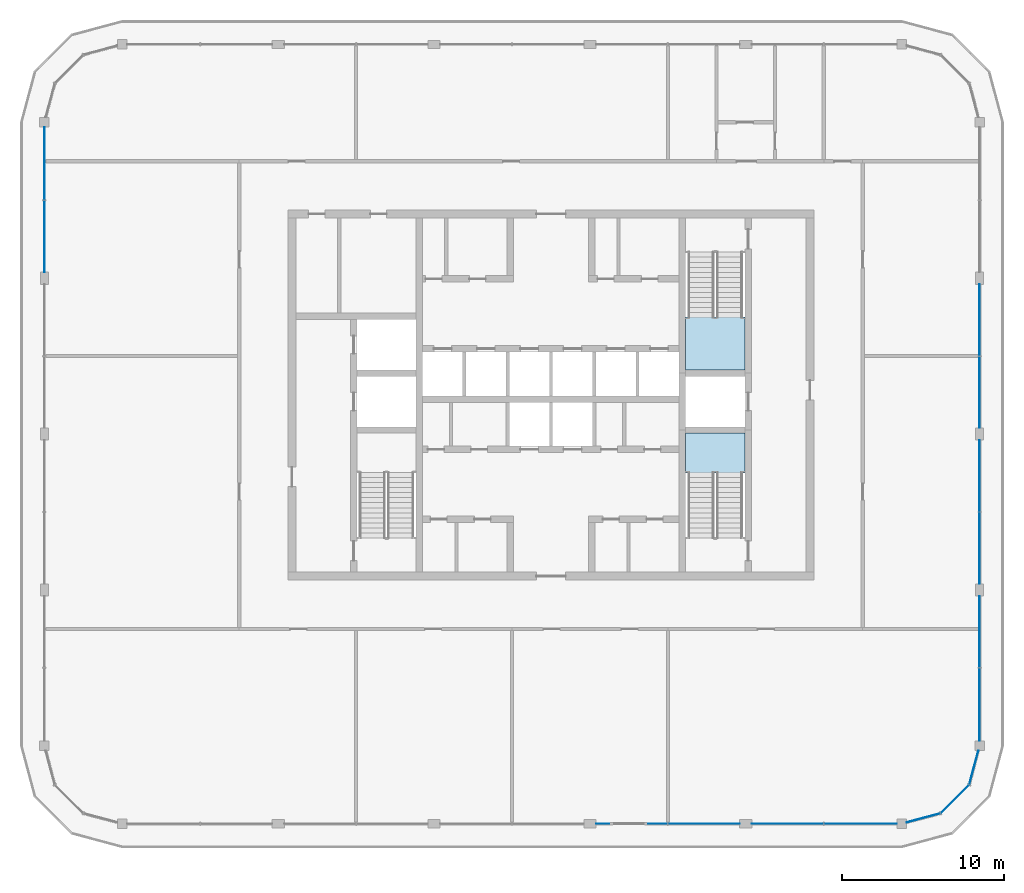
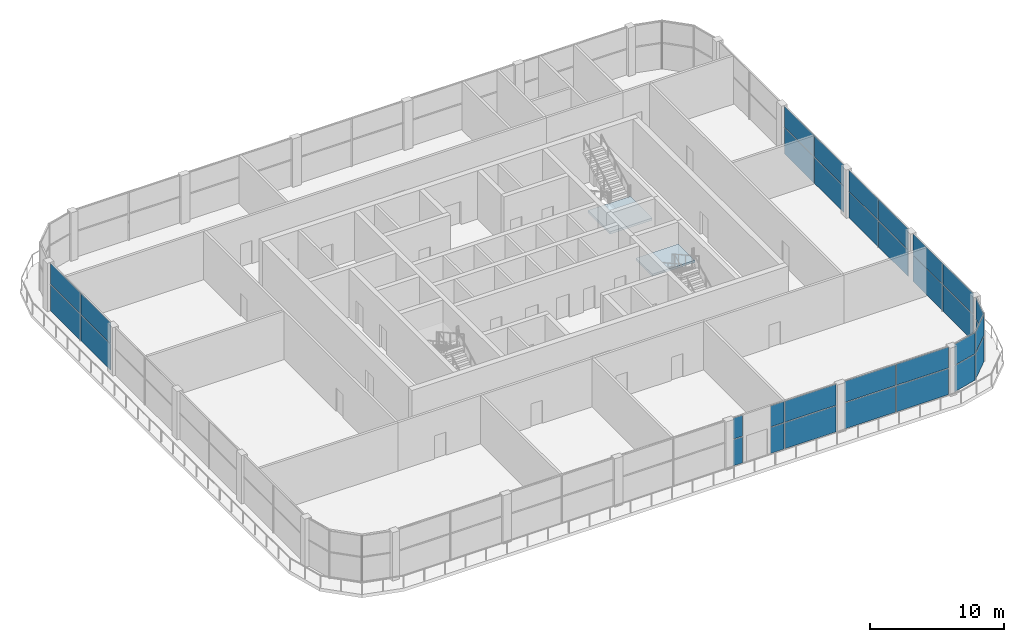
# One storey, part 8 of 15: 32 plates, 2 slabs, 9 elements without a shape of their own.
"""IFC4 building model written with IfcOpenShell, lengths in metres."""

from ifc_helpers import new_model, si_unit, direction, frame, origin, origin_2d, place, context, subcontext, project, spatial, polyline, rectangle, outline, extrude, material, layer, layer_set, type_object, element, aggregate, save


model = new_model("IFC4")

# Units and contexts
model_context = context("Model", 3, precision=1e-05, world=origin(), true_north=direction((0.0, 1.0)))
body_context = subcontext(model_context, "Body", "Model", "MODEL_VIEW")
ifc_project = project(units=[si_unit("LENGTHUNIT", "METRE"), si_unit("AREAUNIT", "SQUARE_METRE"), si_unit("VOLUMEUNIT", "CUBIC_METRE"), si_unit("PLANEANGLEUNIT", "RADIAN"), si_unit("MASSUNIT", "GRAM", prefix="KILO")], contexts=[model_context])

# Site, building, storey
site_placement = place(None, origin())
site = spatial("IfcSite", under=ifc_project, at=site_placement, CompositionType="ELEMENT")
building_placement = place(site_placement, origin())
building = spatial("IfcBuilding", under=site, at=building_placement, Name="Madar Terraces", CompositionType="ELEMENT")
storey_placement = place(building_placement, frame((0.0, 0.0, 291.5)))
storey = spatial("IfcBuildingStorey", under=building, at=storey_placement, Name="L76", CompositionType="ELEMENT", Elevation=291.5)

# Curtain wall, plates
ifc_material_1 = material(Name="Glass, clear low-iron, with black aluminium frame", Category="aluminium")
ifc_layer_1 = layer(ifc_material_1, 0.199951171875)
ifc_layer_set_1 = layer_set([ifc_layer_1], Name="Facade curtain wall, observation glazing")
curtain_wall_type = type_object("IfcCurtainWallType", Name="Facade curtain wall, observation glazing", PredefinedType="NOTDEFINED", material=ifc_layer_set_1)
curtain_wall_1_placement = place(storey_placement, origin())
curtain_wall_1 = element("IfcCurtainWall", 1, at=curtain_wall_1_placement, inside=storey, type_object=curtain_wall_type, Name="Outer skin curtain wall south bay 4", PredefinedType="NOTDEFINED")
ifc_material_2 = material(Name="Glass, ceramic frit dark grey", Category="glass")
ifc_layer_2 = layer(ifc_material_2, 0.028076171875)
ifc_layer_set_2 = layer_set([ifc_layer_2], Name="Facade glass panel 28")
plate_type = type_object("IfcPlateType", Name="Facade glass panel 28", PredefinedType="CURTAIN_PANEL", material=ifc_layer_set_2)
plate_1_placement = place(storey_placement, frame((34.387451171875, 0.0, 0.0), z_axis=(0.0, 0.0, 1.0), x_axis=(1.0, 0.0, 0.0)))
plate_1 = element("IfcPlate", 2, at=plate_1_placement, type_object=plate_type, Name="Panel 1", PredefinedType="CURTAIN_PANEL", context=body_context, shape_type="SweptSolid", body=[
    extrude(rectangle(XDim=0.824951171875, YDim=0.028076171875, at=origin_2d()), origin(), (0.0, 0.0, 1.0), 2.3701171875),
])
plate_2_placement = place(storey_placement, frame((34.387451171875, 0.0, 2.43017578125), z_axis=(0.0, 0.0, 1.0), x_axis=(1.0, 0.0, 0.0)))
plate_2 = element("IfcPlate", 3, at=plate_2_placement, type_object=plate_type, Name="Panel 2", PredefinedType="CURTAIN_PANEL", context=body_context, shape_type="SweptSolid", body=[
    extrude(rectangle(XDim=0.824951171875, YDim=0.028076171875, at=origin_2d()), origin(), (0.0, 0.0, 1.0), 1.909912109375),
])
plate_3_placement = place(storey_placement, frame((37.784912109375, 0.0, 0.0), z_axis=(0.0, 0.0, 1.0), x_axis=(1.0, 0.0, 0.0)))
plate_3 = element("IfcPlate", 4, at=plate_3_placement, type_object=plate_type, Name="Panel 3", PredefinedType="CURTAIN_PANEL", context=body_context, shape_type="SweptSolid", body=[
    extrude(rectangle(XDim=1.169921875, YDim=0.028076171875, at=origin_2d()), origin(), (0.0, 0.0, 1.0), 2.3701171875),
])
plate_4_placement = place(storey_placement, frame((37.784912109375, 0.0, 2.43017578125), z_axis=(0.0, 0.0, 1.0), x_axis=(1.0, 0.0, 0.0)))
plate_4 = element("IfcPlate", 5, at=plate_4_placement, type_object=plate_type, Name="Panel 4", PredefinedType="CURTAIN_PANEL", context=body_context, shape_type="SweptSolid", body=[
    extrude(rectangle(XDim=1.169921875, YDim=0.028076171875, at=origin_2d()), origin(), (0.0, 0.0, 1.0), 1.909912109375),
])
plate_5_placement = place(storey_placement, frame((40.62744140625, 0.0, 0.0), z_axis=(0.0, 0.0, 1.0), x_axis=(1.0, 0.0, 0.0)))
plate_5 = element("IfcPlate", 6, at=plate_5_placement, type_object=plate_type, Name="Panel 5", PredefinedType="CURTAIN_PANEL", context=body_context, shape_type="SweptSolid", body=[
    extrude(rectangle(XDim=4.39501953125, YDim=0.028076171875, at=origin_2d()), origin(), (0.0, 0.0, 1.0), 2.3701171875),
])
plate_6_placement = place(storey_placement, frame((40.62744140625, 0.0, 2.43017578125), z_axis=(0.0, 0.0, 1.0), x_axis=(1.0, 0.0, 0.0)))
plate_6 = element("IfcPlate", 7, at=plate_6_placement, type_object=plate_type, Name="Panel 6", PredefinedType="CURTAIN_PANEL", context=body_context, shape_type="SweptSolid", body=[
    extrude(rectangle(XDim=4.39501953125, YDim=0.028076171875, at=origin_2d()), origin(), (0.0, 0.0, 1.0), 1.909912109375),
])
aggregate(curtain_wall_1, [plate_1, plate_2, plate_3, plate_4, plate_5, plate_6])

curtain_wall_2_placement = place(storey_placement, origin())
curtain_wall_2 = element("IfcCurtainWall", 8, at=curtain_wall_2_placement, inside=storey, type_object=curtain_wall_type, Name="Outer skin curtain wall south bay 5", PredefinedType="NOTDEFINED")
plate_7_placement = place(storey_placement, frame((45.7724609375, 0.0, 0.0), z_axis=(0.0, 0.0, 1.0), x_axis=(1.0, 0.0, 0.0)))
plate_7 = element("IfcPlate", 9, at=plate_7_placement, type_object=plate_type, Name="Panel 1", PredefinedType="CURTAIN_PANEL", context=body_context, shape_type="SweptSolid", body=[
    extrude(rectangle(XDim=4.39501953125, YDim=0.028076171875, at=origin_2d()), origin(), (0.0, 0.0, 1.0), 2.3701171875),
])
plate_8_placement = place(storey_placement, frame((45.7724609375, 0.0, 2.43017578125), z_axis=(0.0, 0.0, 1.0), x_axis=(1.0, 0.0, 0.0)))
plate_8 = element("IfcPlate", 10, at=plate_8_placement, type_object=plate_type, Name="Panel 2", PredefinedType="CURTAIN_PANEL", context=body_context, shape_type="SweptSolid", body=[
    extrude(rectangle(XDim=4.39501953125, YDim=0.028076171875, at=origin_2d()), origin(), (0.0, 0.0, 1.0), 1.909912109375),
])
plate_9_placement = place(storey_placement, frame((50.264892578125, 0.0, 0.0), z_axis=(0.0, 0.0, 1.0), x_axis=(1.0, 0.0, 0.0)))
plate_9 = element("IfcPlate", 11, at=plate_9_placement, type_object=plate_type, Name="Panel 3", PredefinedType="CURTAIN_PANEL", context=body_context, shape_type="SweptSolid", body=[
    extrude(rectangle(XDim=4.469970703125, YDim=0.028076171875, at=origin_2d()), origin(), (0.0, 0.0, 1.0), 2.3701171875),
])
plate_10_placement = place(storey_placement, frame((50.264892578125, 0.0, 2.43017578125), z_axis=(0.0, 0.0, 1.0), x_axis=(1.0, 0.0, 0.0)))
plate_10 = element("IfcPlate", 12, at=plate_10_placement, type_object=plate_type, Name="Panel 4", PredefinedType="CURTAIN_PANEL", context=body_context, shape_type="SweptSolid", body=[
    extrude(rectangle(XDim=4.469970703125, YDim=0.028076171875, at=origin_2d()), origin(), (0.0, 0.0, 1.0), 1.909912109375),
])
aggregate(curtain_wall_2, [plate_7, plate_8, plate_9, plate_10])

curtain_wall_3_placement = place(storey_placement, origin())
curtain_wall_3 = element("IfcCurtainWall", 13, at=curtain_wall_3_placement, inside=storey, type_object=curtain_wall_type, Name="Outer skin curtain wall east bay 1", PredefinedType="NOTDEFINED")
plate_11_placement = place(storey_placement, frame((57.60009765625, 7.3349609375, 0.0), z_axis=(0.0, 0.0, 1.0), x_axis=(0.0, 1.0, 0.0)))
plate_11 = element("IfcPlate", 14, at=plate_11_placement, type_object=plate_type, Name="Panel 1", PredefinedType="CURTAIN_PANEL", context=body_context, shape_type="SweptSolid", body=[
    extrude(rectangle(XDim=4.469970703125, YDim=0.028076171875, at=origin_2d()), origin(), (0.0, 0.0, 1.0), 2.3701171875),
])
plate_12_placement = place(storey_placement, frame((57.60009765625, 7.3349609375, 2.43017578125), z_axis=(0.0, 0.0, 1.0), x_axis=(0.0, 1.0, 0.0)))
plate_12 = element("IfcPlate", 15, at=plate_12_placement, type_object=plate_type, Name="Panel 2", PredefinedType="CURTAIN_PANEL", context=body_context, shape_type="SweptSolid", body=[
    extrude(rectangle(XDim=4.469970703125, YDim=0.028076171875, at=origin_2d()), origin(), (0.0, 0.0, 1.0), 1.909912109375),
])
plate_13_placement = place(storey_placement, frame((57.60009765625, 11.827392578125, 0.0), z_axis=(0.0, 0.0, 1.0), x_axis=(0.0, 1.0, 0.0)))
plate_13 = element("IfcPlate", 16, at=plate_13_placement, type_object=plate_type, Name="Panel 3", PredefinedType="CURTAIN_PANEL", context=body_context, shape_type="SweptSolid", body=[
    extrude(rectangle(XDim=4.39501953125, YDim=0.028076171875, at=origin_2d()), origin(), (0.0, 0.0, 1.0), 2.3701171875),
])
plate_14_placement = place(storey_placement, frame((57.60009765625, 11.827392578125, 2.43017578125), z_axis=(0.0, 0.0, 1.0), x_axis=(0.0, 1.0, 0.0)))
plate_14 = element("IfcPlate", 17, at=plate_14_placement, type_object=plate_type, Name="Panel 4", PredefinedType="CURTAIN_PANEL", context=body_context, shape_type="SweptSolid", body=[
    extrude(rectangle(XDim=4.39501953125, YDim=0.028076171875, at=origin_2d()), origin(), (0.0, 0.0, 1.0), 1.909912109375),
])
aggregate(curtain_wall_3, [plate_11, plate_12, plate_13, plate_14])

curtain_wall_4_placement = place(storey_placement, origin())
curtain_wall_4 = element("IfcCurtainWall", 18, at=curtain_wall_4_placement, inside=storey, type_object=curtain_wall_type, Name="Outer skin curtain wall east bay 2", PredefinedType="NOTDEFINED")
plate_15_placement = place(storey_placement, frame((57.60009765625, 16.972412109375, 0.0), z_axis=(0.0, 0.0, 1.0), x_axis=(0.0, 1.0, 0.0)))
plate_15 = element("IfcPlate", 19, at=plate_15_placement, type_object=plate_type, Name="Panel 1", PredefinedType="CURTAIN_PANEL", context=body_context, shape_type="SweptSolid", body=[
    extrude(rectangle(XDim=4.39501953125, YDim=0.028076171875, at=origin_2d()), origin(), (0.0, 0.0, 1.0), 2.3701171875),
])
plate_16_placement = place(storey_placement, frame((57.60009765625, 16.972412109375, 2.43017578125), z_axis=(0.0, 0.0, 1.0), x_axis=(0.0, 1.0, 0.0)))
plate_16 = element("IfcPlate", 20, at=plate_16_placement, type_object=plate_type, Name="Panel 2", PredefinedType="CURTAIN_PANEL", context=body_context, shape_type="SweptSolid", body=[
    extrude(rectangle(XDim=4.39501953125, YDim=0.028076171875, at=origin_2d()), origin(), (0.0, 0.0, 1.0), 1.909912109375),
])
plate_17_placement = place(storey_placement, frame((57.60009765625, 21.427490234375, 0.0), z_axis=(0.0, 0.0, 1.0), x_axis=(0.0, 1.0, 0.0)))
plate_17 = element("IfcPlate", 21, at=plate_17_placement, type_object=plate_type, Name="Panel 3", PredefinedType="CURTAIN_PANEL", context=body_context, shape_type="SweptSolid", body=[
    extrude(rectangle(XDim=4.39501953125, YDim=0.028076171875, at=origin_2d()), origin(), (0.0, 0.0, 1.0), 2.3701171875),
])
plate_18_placement = place(storey_placement, frame((57.60009765625, 21.427490234375, 2.43017578125), z_axis=(0.0, 0.0, 1.0), x_axis=(0.0, 1.0, 0.0)))
plate_18 = element("IfcPlate", 22, at=plate_18_placement, type_object=plate_type, Name="Panel 4", PredefinedType="CURTAIN_PANEL", context=body_context, shape_type="SweptSolid", body=[
    extrude(rectangle(XDim=4.39501953125, YDim=0.028076171875, at=origin_2d()), origin(), (0.0, 0.0, 1.0), 1.909912109375),
])
aggregate(curtain_wall_4, [plate_15, plate_16, plate_17, plate_18])

curtain_wall_5_placement = place(storey_placement, origin())
curtain_wall_5 = element("IfcCurtainWall", 23, at=curtain_wall_5_placement, inside=storey, type_object=curtain_wall_type, Name="Outer skin curtain wall east bay 3", PredefinedType="NOTDEFINED")
plate_19_placement = place(storey_placement, frame((57.60009765625, 26.572509765625, 0.0), z_axis=(0.0, 0.0, 1.0), x_axis=(0.0, 1.0, 0.0)))
plate_19 = element("IfcPlate", 24, at=plate_19_placement, type_object=plate_type, Name="Panel 1", PredefinedType="CURTAIN_PANEL", context=body_context, shape_type="SweptSolid", body=[
    extrude(rectangle(XDim=4.39501953125, YDim=0.028076171875, at=origin_2d()), origin(), (0.0, 0.0, 1.0), 2.3701171875),
])
plate_20_placement = place(storey_placement, frame((57.60009765625, 26.572509765625, 2.43017578125), z_axis=(0.0, 0.0, 1.0), x_axis=(0.0, 1.0, 0.0)))
plate_20 = element("IfcPlate", 25, at=plate_20_placement, type_object=plate_type, Name="Panel 2", PredefinedType="CURTAIN_PANEL", context=body_context, shape_type="SweptSolid", body=[
    extrude(rectangle(XDim=4.39501953125, YDim=0.028076171875, at=origin_2d()), origin(), (0.0, 0.0, 1.0), 1.909912109375),
])
plate_21_placement = place(storey_placement, frame((57.60009765625, 31.027587890625, 0.0), z_axis=(0.0, 0.0, 1.0), x_axis=(0.0, 1.0, 0.0)))
plate_21 = element("IfcPlate", 26, at=plate_21_placement, type_object=plate_type, Name="Panel 3", PredefinedType="CURTAIN_PANEL", context=body_context, shape_type="SweptSolid", body=[
    extrude(rectangle(XDim=4.39501953125, YDim=0.028076171875, at=origin_2d()), origin(), (0.0, 0.0, 1.0), 2.3701171875),
])
plate_22_placement = place(storey_placement, frame((57.60009765625, 31.027587890625, 2.43017578125), z_axis=(0.0, 0.0, 1.0), x_axis=(0.0, 1.0, 0.0)))
plate_22 = element("IfcPlate", 27, at=plate_22_placement, type_object=plate_type, Name="Panel 4", PredefinedType="CURTAIN_PANEL", context=body_context, shape_type="SweptSolid", body=[
    extrude(rectangle(XDim=4.39501953125, YDim=0.028076171875, at=origin_2d()), origin(), (0.0, 0.0, 1.0), 1.909912109375),
])
aggregate(curtain_wall_5, [plate_19, plate_20, plate_21, plate_22])

curtain_wall_6_placement = place(storey_placement, origin())
curtain_wall_6 = element("IfcCurtainWall", 28, at=curtain_wall_6_placement, inside=storey, type_object=curtain_wall_type, Name="Outer skin curtain wall west bay 1", PredefinedType="NOTDEFINED")
plate_23_placement = place(storey_placement, frame((0.0, 40.6650390625, 0.0), z_axis=(0.0, 0.0, 1.0), x_axis=(0.0, -1.0, 0.0)))
plate_23 = element("IfcPlate", 29, at=plate_23_placement, type_object=plate_type, Name="Panel 1", PredefinedType="CURTAIN_PANEL", context=body_context, shape_type="SweptSolid", body=[
    extrude(rectangle(XDim=4.469970703125, YDim=0.028076171875, at=origin_2d()), origin(), (0.0, 0.0, 1.0), 2.3701171875),
])
plate_24_placement = place(storey_placement, frame((0.0, 40.6650390625, 2.43017578125), z_axis=(0.0, 0.0, 1.0), x_axis=(0.0, -1.0, 0.0)))
plate_24 = element("IfcPlate", 30, at=plate_24_placement, type_object=plate_type, Name="Panel 2", PredefinedType="CURTAIN_PANEL", context=body_context, shape_type="SweptSolid", body=[
    extrude(rectangle(XDim=4.469970703125, YDim=0.028076171875, at=origin_2d()), origin(), (0.0, 0.0, 1.0), 1.909912109375),
])
plate_25_placement = place(storey_placement, frame((0.0, 36.172607421875, 0.0), z_axis=(0.0, 0.0, 1.0), x_axis=(0.0, -1.0, 0.0)))
plate_25 = element("IfcPlate", 31, at=plate_25_placement, type_object=plate_type, Name="Panel 3", PredefinedType="CURTAIN_PANEL", context=body_context, shape_type="SweptSolid", body=[
    extrude(rectangle(XDim=4.39501953125, YDim=0.028076171875, at=origin_2d()), origin(), (0.0, 0.0, 1.0), 2.3701171875),
])
plate_26_placement = place(storey_placement, frame((0.0, 36.172607421875, 2.43017578125), z_axis=(0.0, 0.0, 1.0), x_axis=(0.0, -1.0, 0.0)))
plate_26 = element("IfcPlate", 32, at=plate_26_placement, type_object=plate_type, Name="Panel 4", PredefinedType="CURTAIN_PANEL", context=body_context, shape_type="SweptSolid", body=[
    extrude(rectangle(XDim=4.39501953125, YDim=0.028076171875, at=origin_2d()), origin(), (0.0, 0.0, 1.0), 1.909912109375),
])
aggregate(curtain_wall_6, [plate_23, plate_24, plate_25, plate_26])

curtain_wall_7_placement = place(storey_placement, origin())
curtain_wall_7 = element("IfcCurtainWall", 33, at=curtain_wall_7_placement, inside=storey, type_object=curtain_wall_type, Name="Outer skin curtain wall south-east corner", PredefinedType="NOTDEFINED")
plate_27_placement = place(storey_placement, frame((54.135498046875, 0.35791015625, 0.0), z_axis=(0.0, 0.0, 1.0), x_axis=(0.965925832509, 0.258819021888, 0.0)))
plate_27 = element("IfcPlate", 34, at=plate_27_placement, type_object=plate_type, Name="Panel 1", PredefinedType="CURTAIN_PANEL", context=body_context, shape_type="SweptSolid", body=[
    extrude(rectangle(XDim=2.14404296875, YDim=0.028076171875, at=origin_2d()), origin(), (0.0, 0.0, 1.0), 2.3701171875),
])
plate_28_placement = place(storey_placement, frame((54.135498046875, 0.35791015625, 2.43017578125), z_axis=(0.0, 0.0, 1.0), x_axis=(0.965925832509, 0.258819021888, 0.0)))
plate_28 = element("IfcPlate", 35, at=plate_28_placement, type_object=plate_type, Name="Panel 2", PredefinedType="CURTAIN_PANEL", context=body_context, shape_type="SweptSolid", body=[
    extrude(rectangle(XDim=2.14404296875, YDim=0.028076171875, at=origin_2d()), origin(), (0.0, 0.0, 1.0), 1.909912109375),
])
plate_29_placement = place(storey_placement, frame((56.078369140625, 1.521484375, 0.0), z_axis=(0.0, 0.0, 1.0), x_axis=(0.707106781187, 0.707106781187, 0.0)))
plate_29 = element("IfcPlate", 36, at=plate_29_placement, type_object=plate_type, Name="Panel 3", PredefinedType="CURTAIN_PANEL", context=body_context, shape_type="SweptSolid", body=[
    extrude(rectangle(XDim=2.424560546875, YDim=0.028076171875, at=origin_2d()), origin(), (0.0, 0.0, 1.0), 2.3701171875),
])
plate_30_placement = place(storey_placement, frame((56.078369140625, 1.521484375, 2.43017578125), z_axis=(0.0, 0.0, 1.0), x_axis=(0.707106781187, 0.707106781187, 0.0)))
plate_30 = element("IfcPlate", 37, at=plate_30_placement, type_object=plate_type, Name="Panel 4", PredefinedType="CURTAIN_PANEL", context=body_context, shape_type="SweptSolid", body=[
    extrude(rectangle(XDim=2.424560546875, YDim=0.028076171875, at=origin_2d()), origin(), (0.0, 0.0, 1.0), 1.909912109375),
])
plate_31_placement = place(storey_placement, frame((57.2421875, 3.464599609375, 0.0), z_axis=(0.0, 0.0, 1.0), x_axis=(0.258819021888, 0.965925832509, 0.0)))
plate_31 = element("IfcPlate", 38, at=plate_31_placement, type_object=plate_type, Name="Panel 5", PredefinedType="CURTAIN_PANEL", context=body_context, shape_type="SweptSolid", body=[
    extrude(rectangle(XDim=2.14404296875, YDim=0.028076171875, at=origin_2d()), origin(), (0.0, 0.0, 1.0), 2.3701171875),
])
plate_32_placement = place(storey_placement, frame((57.2421875, 3.464599609375, 2.43017578125), z_axis=(0.0, 0.0, 1.0), x_axis=(0.258819021888, 0.965925832509, 0.0)))
plate_32 = element("IfcPlate", 39, at=plate_32_placement, type_object=plate_type, Name="Panel 6", PredefinedType="CURTAIN_PANEL", context=body_context, shape_type="SweptSolid", body=[
    extrude(rectangle(XDim=2.14404296875, YDim=0.028076171875, at=origin_2d()), origin(), (0.0, 0.0, 1.0), 1.909912109375),
])
aggregate(curtain_wall_7, [plate_27, plate_28, plate_29, plate_30, plate_31, plate_32])

# Stair, slab
ifc_material_3 = material(Name="Concrete C50/60", Category="concrete")
stair_type_1 = type_object("IfcStairType", Name="Stair ST2 protected exit", PredefinedType="HALF_TURN_STAIR", material=ifc_material_3)
stair_1_placement = place(storey_placement, origin())
stair_1 = element("IfcStair", 40, at=stair_1_placement, inside=storey, type_object=stair_type_1, Name="L76 Protected Exit Stair ST2", PredefinedType="HALF_TURN_STAIR")
ifc_material_4 = material(Name="Concrete C50/60", Category="concrete")
ifc_layer_3 = layer(ifc_material_4, 0.199951171875)
ifc_layer_set_3 = layer_set([ifc_layer_3], Name="Stair landing 200, top +2.40")
slab_type = type_object("IfcSlabType", Name="Stair landing 200, top +2.40", PredefinedType="LANDING", material=ifc_layer_set_3)
slab_1_placement = place(storey_placement, frame((0.0, 0.0, 2.199951171875)))
slab_1 = element("IfcSlab", 41, at=slab_1_placement, type_object=slab_type, Name="ST2 landing 1", PredefinedType="LANDING", context=body_context, shape_type="SweptSolid", body=[
    extrude(outline(polyline([(39.5, 27.949951171875), (43.14990234375, 27.949951171875), (43.14990234375, 31.199951171875), (39.5, 31.199951171875), (39.5, 27.949951171875)])), origin(), (0.0, 0.0, 1.0), 0.199951171875),
])
aggregate(stair_1, [slab_1])

ifc_material_5 = material(Name="Concrete C50/60", Category="concrete")
stair_type_2 = type_object("IfcStairType", Name="Stair ST3 protected exit", PredefinedType="HALF_TURN_STAIR", material=ifc_material_5)
stair_2_placement = place(storey_placement, origin())
stair_2 = element("IfcStair", 42, at=stair_2_placement, inside=storey, type_object=stair_type_2, Name="L76 Protected Exit Stair ST3", PredefinedType="HALF_TURN_STAIR")
slab_2_placement = place(storey_placement, frame((0.0, 0.0, 2.199951171875)))
slab_2 = element("IfcSlab", 43, at=slab_2_placement, type_object=slab_type, Name="ST3 landing 1", PredefinedType="LANDING", context=body_context, shape_type="SweptSolid", body=[
    extrude(outline(polyline([(39.5, 21.60009765625), (43.14990234375, 21.60009765625), (43.14990234375, 24.050048828125), (39.5, 24.050048828125), (39.5, 21.60009765625)])), origin(), (0.0, 0.0, 1.0), 0.199951171875),
])
aggregate(stair_2, [slab_2])

save(model, "model.ifc")
